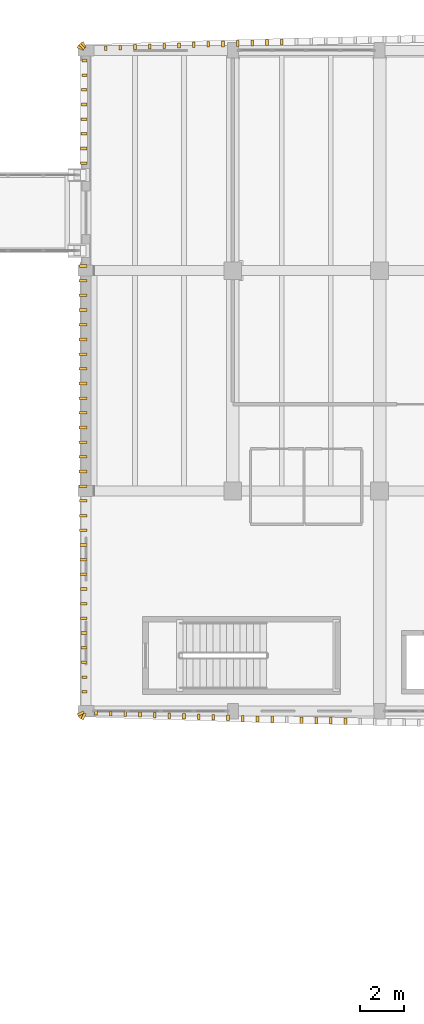
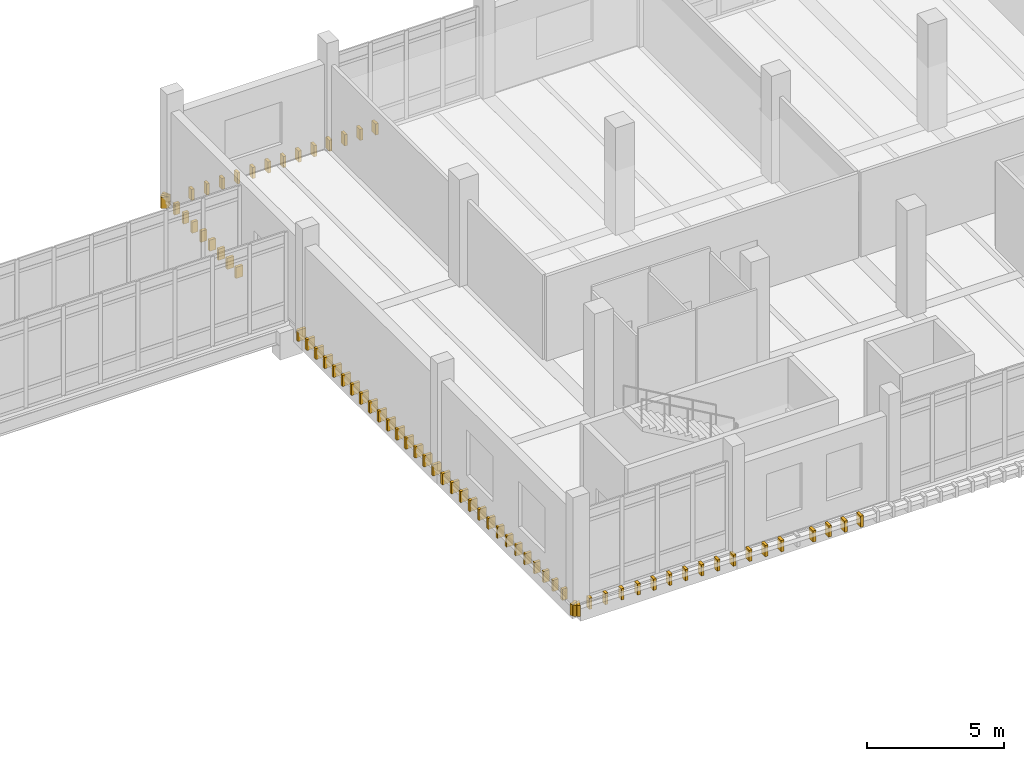
# One storey, part 122 of 125: 74 coverings.
"""IFC4 building model written with IfcOpenShell, lengths in metres."""

import ifcopenshell
import ifcopenshell.guid

model = None  # the IFC model being written
_history = None  # IfcOwnerHistory: only IFC2X3 demands one
_inside = {}  # id of a spatial element -> (the spatial element, [elements in it])
_under = {}  # id of a project, library or spatial element -> (it, [spatial elements below it])
_declared = {}  # id of a project -> (the project, [libraries it declares])
_typed = {}  # id of a type object -> (the type object, [elements of that type])
_made_of = {}  # id of a material, layer set ... -> (it, [elements and type objects made of it])


def new_model(schema):
    """Start an empty IFC model of exactly this schema.

    Asked for "IFC4X3", IfcOpenShell would pick the latest addendum, in which some entities
    have other attributes; the version numbers below select the first issue.
    IFC2X3 requires an IfcOwnerHistory on every rooted entity: one is made here for all.
    """
    global model, _history
    if schema == "IFC4X3":
        model = ifcopenshell.file(schema_version=(4, 3, 0, 0))
    else:
        model = ifcopenshell.file(schema=schema)
    _inside.clear()
    _under.clear()
    _declared.clear()
    _typed.clear()
    _made_of.clear()
    _history = None
    if model.schema == "IFC2X3":
        org = make("IfcOrganization", Name="unknown")
        user = make(
            "IfcPersonAndOrganization",
            ThePerson=make("IfcPerson", FamilyName="unknown"),
            TheOrganization=org,
        )
        app = make(
            "IfcApplication",
            ApplicationDeveloper=org,
            Version="unknown",
            ApplicationFullName="unknown",
            ApplicationIdentifier="unknown",
        )
        _history = make(
            "IfcOwnerHistory",
            OwningUser=user,
            OwningApplication=app,
            ChangeAction="ADDED",
            CreationDate=0,
        )
    return model


def make(cls, **values):
    """One entity of the class cls with the attributes given. An attribute that is None is left unset."""
    return model.create_entity(
        cls, **{name: value for name, value in values.items() if value is not None}
    )


def rooted(cls, **values):
    """An entity with a GlobalId (a new one), such as an element, a storey or a relation."""
    return make(cls, GlobalId=ifcopenshell.guid.new(), OwnerHistory=_history, **values)


def si_unit(unit_type, name, prefix=None):
    """IfcSIUnit, for example si_unit("LENGTHUNIT", "METRE", prefix="MILLI")."""
    return make("IfcSIUnit", UnitType=unit_type, Prefix=prefix, Name=name)


def assignment(units):
    """IfcUnitAssignment: the units of a project."""
    return None if units is None else make("IfcUnitAssignment", Units=units)


def point(xyz):
    """IfcCartesianPoint."""
    return None if xyz is None else make("IfcCartesianPoint", Coordinates=xyz)


def direction(xyz):
    """IfcDirection."""
    return None if xyz is None else make("IfcDirection", DirectionRatios=xyz)


def frame(location, z_axis=None, x_axis=None):
    """IfcAxis2Placement3D, a coordinate frame: its origin and axes. An axis left out is left unset."""
    return make(
        "IfcAxis2Placement3D",
        Location=point(location),
        Axis=direction(z_axis),
        RefDirection=direction(x_axis),
    )


def frame_2d(location, x_axis=None):
    """IfcAxis2Placement2D, a coordinate frame in the plane: its origin and x axis."""
    return make(
        "IfcAxis2Placement2D", Location=point(location), RefDirection=direction(x_axis)
    )


def origin():
    """The frame at (0, 0, 0) with its axes left unset."""
    return frame((0.0, 0.0, 0.0))


def origin_2d():
    """The frame at (0, 0) in the plane with its x axis left unset."""
    return frame_2d((0.0, 0.0))


def place(relative_to, where):
    """IfcLocalPlacement: puts the frame where relative to a parent placement (None: the world)."""
    return make(
        "IfcLocalPlacement", PlacementRelTo=relative_to, RelativePlacement=where
    )


def context(
    kind, dimensions, precision=None, world=None, true_north=None, identifier=None
):
    """IfcGeometricRepresentationContext, for example the 3D "Model" context."""
    return make(
        "IfcGeometricRepresentationContext",
        ContextIdentifier=identifier,
        ContextType=kind,
        CoordinateSpaceDimension=dimensions,
        Precision=precision,
        WorldCoordinateSystem=world,
        TrueNorth=true_north,
    )


def subcontext(parent, identifier, kind, view, scale=None):
    """IfcGeometricRepresentationSubContext, for example "Body" below "Model"."""
    return make(
        "IfcGeometricRepresentationSubContext",
        ContextIdentifier=identifier,
        ContextType=kind,
        ParentContext=parent,
        TargetScale=scale,
        TargetView=view,
    )


def project(units=None, contexts=None):
    """IfcProject with its units and contexts."""
    return rooted(
        "IfcProject",
        Name="project",
        RepresentationContexts=contexts,
        UnitsInContext=assignment(units),
    )


def spatial(cls, under=None, at=None, **own):
    """A site, building, storey or space (cls), placed at a placement, below another one or the project."""
    s = rooted(cls, ObjectPlacement=at, **own)
    if under is not None:
        _under.setdefault(under.id(), (under, []))[1].append(s)
    return s


def profile(cls, at=None, kind="AREA", **sizes):
    """A parametric profile (cls). Its sizes go by their IFC names, for example OverallWidth=200.0."""
    return make(cls, ProfileType=kind, Position=at, **sizes)


def rectangle(**sizes):
    """IfcRectangleProfileDef."""
    return profile("IfcRectangleProfileDef", **sizes)


def extrude(swept, where, along, depth):
    """IfcExtrudedAreaSolid: the profile swept, set in the frame where, extruded along a direction by depth."""
    return make(
        "IfcExtrudedAreaSolid",
        SweptArea=swept,
        Position=where,
        ExtrudedDirection=direction(along),
        Depth=depth,
    )


def shape(context_of_items, identifier, shape_type, items):
    """IfcShapeRepresentation: the items that make up one representation, for example the "Body"."""
    return make(
        "IfcShapeRepresentation",
        ContextOfItems=context_of_items,
        RepresentationIdentifier=identifier,
        RepresentationType=shape_type,
        Items=items,
    )


def material(Name=None, Category=None):
    """IfcMaterial."""
    return make("IfcMaterial", Name=Name, Category=Category)


def layer(
    of_material, thickness, ventilated=None, Name=None, Category=None, Priority=None
):
    """IfcMaterialLayer: one layer of a wall or slab, of a material (None: an air gap)."""
    return make(
        "IfcMaterialLayer",
        Material=of_material,
        LayerThickness=thickness,
        IsVentilated=ventilated,
        Name=Name,
        Category=Category,
        Priority=Priority,
    )


def layer_set(layers, Name=None):
    """IfcMaterialLayerSet."""
    return make("IfcMaterialLayerSet", MaterialLayers=layers, LayerSetName=Name)


def made_of(thing, what):
    """Note that an element or type object is made of a material, layer set ...; save() writes the relation."""
    if what is not None:
        _made_of.setdefault(what.id(), (what, []))[1].append(thing)
    return thing


def type_object(cls, material=None, **own):
    """A type object (cls), such as IfcWallType, which elements share."""
    return made_of(rooted(cls, **own), material)


def element(
    cls,
    number,
    at=None,
    inside=None,
    cuts=None,
    type_object=None,
    material=None,
    context=None,
    identifier="Body",
    shape_type=None,
    held_by="IfcProductDefinitionShape",
    body=None,
    shapes=None,
    **own,
):
    """One element of the class cls, such as IfcWall. Its Tag is "e" and its number.

    at: its placement. inside: the storey or other place that contains it. cuts: it is an
    opening in that element (IfcRelVoidsElement). A single representation is given by context,
    identifier, shape_type and body (its items); several are given by shapes. held_by: the class
    of the entity that holds the representations. save() writes the other relations.
    """
    e = rooted(cls, Tag="e%d" % number, ObjectPlacement=at, **own)
    if body is not None:
        shapes = [shape(context, identifier, shape_type, body)]
    if shapes is not None:
        e.Representation = make(held_by, Representations=shapes)
    if inside is not None:
        _inside.setdefault(inside.id(), (inside, []))[1].append(e)
    if cuts is not None:
        rooted(
            "IfcRelVoidsElement", RelatingBuildingElement=cuts, RelatedOpeningElement=e
        )
    if type_object is not None:
        _typed.setdefault(type_object.id(), (type_object, []))[1].append(e)
    return made_of(e, material)


def aggregate(whole, parts):
    """IfcRelAggregates: a whole, such as a stair, and the parts it consists of."""
    return rooted("IfcRelAggregates", RelatingObject=whole, RelatedObjects=parts)


def save(model, path):
    """Write the relations noted so far, then the file.

    IfcRelAggregates (storeys below a building ...), IfcRelContainedInSpatialStructure (elements
    in a storey), IfcRelDefinesByType, IfcRelAssociatesMaterial and IfcRelDeclares: one each for
    every whole, place, type object, material and project.
    """
    for whole, parts in _under.values():
        aggregate(whole, parts)
    for where, things in _inside.values():
        rooted(
            "IfcRelContainedInSpatialStructure",
            RelatedElements=things,
            RelatingStructure=where,
        )
    for kind, things in _typed.values():
        rooted("IfcRelDefinesByType", RelatedObjects=things, RelatingType=kind)
    for what, things in _made_of.values():
        rooted("IfcRelAssociatesMaterial", RelatedObjects=things, RelatingMaterial=what)
    for by, libraries in _declared.values():
        rooted("IfcRelDeclares", RelatingContext=by, RelatedDefinitions=libraries)
    model.write(path)


model = new_model("IFC4")

# Units and contexts
model_context = context("Model", 3, precision=1e-05, world=origin(), true_north=direction((0.0, 1.0)))
body_context = subcontext(model_context, "Body", "Model", "MODEL_VIEW")
ifc_project = project(units=[si_unit("LENGTHUNIT", "METRE"), si_unit("AREAUNIT", "SQUARE_METRE"), si_unit("VOLUMEUNIT", "CUBIC_METRE"), si_unit("PLANEANGLEUNIT", "RADIAN"), si_unit("MASSUNIT", "GRAM", prefix="KILO")], contexts=[model_context])

# Site, building, storey
site_placement = place(None, origin())
site = spatial("IfcSite", under=ifc_project, at=site_placement, CompositionType="ELEMENT")
building_placement = place(site_placement, origin())
building = spatial("IfcBuilding", under=site, at=building_placement, Name="Dornvale Research Institute", CompositionType="ELEMENT")
storey_placement = place(building_placement, frame((0.0, 0.0, 5.39990234375)))
storey = spatial("IfcBuildingStorey", under=building, at=storey_placement, Name="L01", CompositionType="ELEMENT", Elevation=5.39990234375)

# Coverings
ifc_material = material(Name="Polychrome Glazed Terracotta Visor Rib Ceramic", Category="masonry")
ifc_layer = layer(ifc_material, 0.1201171875)
ifc_layer_set = layer_set([ifc_layer], Name="Polychrome Glazed Terracotta Visor Rib Ceramic")
covering_type = type_object("IfcCoveringType", Name="Covering_VisorBlade_Low", PredefinedType="CLADDING", material=ifc_layer_set)
covering_1_placement = place(storey_placement, frame((119.249755859375, 92.3212890625, -0.489990234375), z_axis=(0.0, 0.0, 1.0), x_axis=(0.0, 1.0, 0.0)))
element("IfcCovering", 1, at=covering_1_placement, inside=storey, type_object=covering_type, Name="L01 V4 canted glazed terracotta visor blade #1725", PredefinedType="CLADDING", context=body_context, shape_type="SweptSolid", body=[
    extrude(rectangle(XDim=0.205078125, YDim=0.1201171875, at=origin_2d()), origin(), (0.0, 0.0, 1.0), 0.5),
])
covering_2_placement = place(storey_placement, frame((119.9091796875, 92.294189453125, -0.489990234375), z_axis=(0.0, 0.0, 1.0), x_axis=(0.0, 1.0, 0.0)))
element("IfcCovering", 2, at=covering_2_placement, inside=storey, type_object=covering_type, Name="L01 V4 canted glazed terracotta visor blade #1726", PredefinedType="CLADDING", context=body_context, shape_type="SweptSolid", body=[
    extrude(rectangle(XDim=0.2119140625, YDim=0.1201171875, at=origin_2d()), origin(), (0.0, 0.0, 1.0), 0.5),
])
covering_3_placement = place(storey_placement, frame((120.56884765625, 92.267578125, -0.489990234375), z_axis=(0.0, 0.0, 1.0), x_axis=(0.0, 1.0, 0.0)))
element("IfcCovering", 3, at=covering_3_placement, inside=storey, type_object=covering_type, Name="L01 V4 canted glazed terracotta visor blade #1727", PredefinedType="CLADDING", context=body_context, shape_type="SweptSolid", body=[
    extrude(rectangle(XDim=0.218017578125, YDim=0.1201171875, at=origin_2d()), origin(), (0.0, 0.0, 1.0), 0.5),
])
covering_4_placement = place(storey_placement, frame((121.228515625, 92.24169921875, -0.489990234375), z_axis=(0.0, 0.0, 1.0), x_axis=(0.0, 1.0, 0.0)))
element("IfcCovering", 4, at=covering_4_placement, inside=storey, type_object=covering_type, Name="L01 V4 canted glazed terracotta visor blade #1728", PredefinedType="CLADDING", context=body_context, shape_type="SweptSolid", body=[
    extrude(rectangle(XDim=0.22509765625, YDim=0.1201171875, at=origin_2d()), origin(), (0.0, 0.0, 1.0), 0.5),
])
covering_5_placement = place(storey_placement, frame((121.88818359375, 92.2158203125, -0.489990234375), z_axis=(0.0, 0.0, 1.0), x_axis=(0.0, 1.0, 0.0)))
element("IfcCovering", 5, at=covering_5_placement, inside=storey, type_object=covering_type, Name="L01 V4 canted glazed terracotta visor blade #1729", PredefinedType="CLADDING", context=body_context, shape_type="SweptSolid", body=[
    extrude(rectangle(XDim=0.23193359375, YDim=0.1201171875, at=origin_2d()), origin(), (0.0, 0.0, 1.0), 0.5),
])
covering_6_placement = place(storey_placement, frame((122.5478515625, 92.19140625, -0.489990234375), z_axis=(0.0, 0.0, 1.0), x_axis=(0.0, 1.0, 0.0)))
element("IfcCovering", 6, at=covering_6_placement, inside=storey, type_object=covering_type, Name="L01 V4 canted glazed terracotta visor blade #1730", PredefinedType="CLADDING", context=body_context, shape_type="SweptSolid", body=[
    extrude(rectangle(XDim=0.238037109375, YDim=0.1201171875, at=origin_2d()), origin(), (0.0, 0.0, 1.0), 0.5),
])
covering_7_placement = place(storey_placement, frame((123.20751953125, 92.167236328125, -0.489990234375), z_axis=(0.0, 0.0, 1.0), x_axis=(0.0, 1.0, 0.0)))
element("IfcCovering", 7, at=covering_7_placement, inside=storey, type_object=covering_type, Name="L01 V4 canted glazed terracotta visor blade #1731", PredefinedType="CLADDING", context=body_context, shape_type="SweptSolid", body=[
    extrude(rectangle(XDim=0.243896484375, YDim=0.1201171875, at=origin_2d()), origin(), (0.0, 0.0, 1.0), 0.5),
])
covering_8_placement = place(storey_placement, frame((123.8671875, 92.143310546875, -0.489990234375), z_axis=(0.0, 0.0, 1.0), x_axis=(0.0, 1.0, 0.0)))
element("IfcCovering", 8, at=covering_8_placement, inside=storey, type_object=covering_type, Name="L01 V4 canted glazed terracotta visor blade #1732", PredefinedType="CLADDING", context=body_context, shape_type="SweptSolid", body=[
    extrude(rectangle(XDim=0.25, YDim=0.1201171875, at=origin_2d()), origin(), (0.0, 0.0, 1.0), 0.5),
])
covering_9_placement = place(storey_placement, frame((124.52685546875, 92.12060546875, -0.489990234375), z_axis=(0.0, 0.0, 1.0), x_axis=(0.0, 1.0, 0.0)))
element("IfcCovering", 9, at=covering_9_placement, inside=storey, type_object=covering_type, Name="L01 V4 canted glazed terracotta visor blade #1733", PredefinedType="CLADDING", context=body_context, shape_type="SweptSolid", body=[
    extrude(rectangle(XDim=0.256103515625, YDim=0.1201171875, at=origin_2d()), origin(), (0.0, 0.0, 1.0), 0.5),
])
covering_10_placement = place(storey_placement, frame((125.1865234375, 92.0986328125, -0.489990234375), z_axis=(0.0, 0.0, 1.0), x_axis=(0.0, 1.0, 0.0)))
element("IfcCovering", 10, at=covering_10_placement, inside=storey, type_object=covering_type, Name="L01 V4 canted glazed terracotta visor blade #1734", PredefinedType="CLADDING", context=body_context, shape_type="SweptSolid", body=[
    extrude(rectangle(XDim=0.260986328125, YDim=0.1201171875, at=origin_2d()), origin(), (0.0, 0.0, 1.0), 0.5),
])
covering_11_placement = place(storey_placement, frame((125.84619140625, 92.076904296875, -0.489990234375), z_axis=(0.0, 0.0, 1.0), x_axis=(0.0, 1.0, 0.0)))
element("IfcCovering", 11, at=covering_11_placement, inside=storey, type_object=covering_type, Name="L01 V4 canted glazed terracotta visor blade #1735", PredefinedType="CLADDING", context=body_context, shape_type="SweptSolid", body=[
    extrude(rectangle(XDim=0.26708984375, YDim=0.1201171875, at=origin_2d()), origin(), (0.0, 0.0, 1.0), 0.5),
])
covering_12_placement = place(storey_placement, frame((126.506103515625, 92.055908203125, -0.489990234375), z_axis=(0.0, 0.0, 1.0), x_axis=(0.0, 1.0, 0.0)))
element("IfcCovering", 12, at=covering_12_placement, inside=storey, type_object=covering_type, Name="L01 V4 canted glazed terracotta visor blade #1736", PredefinedType="CLADDING", context=body_context, shape_type="SweptSolid", body=[
    extrude(rectangle(XDim=0.27197265625, YDim=0.1201171875, at=origin_2d()), origin(), (0.0, 0.0, 1.0), 0.5),
])
covering_13_placement = place(storey_placement, frame((127.165771484375, 92.035400390625, -0.489990234375), z_axis=(0.0, 0.0, 1.0), x_axis=(0.0, 1.0, 0.0)))
element("IfcCovering", 13, at=covering_13_placement, inside=storey, type_object=covering_type, Name="L01 V4 canted glazed terracotta visor blade #1737", PredefinedType="CLADDING", context=body_context, shape_type="SweptSolid", body=[
    extrude(rectangle(XDim=0.277099609375, YDim=0.1201171875, at=origin_2d()), origin(), (0.0, 0.0, 1.0), 0.5),
])
covering_14_placement = place(storey_placement, frame((128.4853515625, 91.996337890625, -0.489990234375), z_axis=(0.0, 0.0, 1.0), x_axis=(0.0, 1.0, 0.0)))
element("IfcCovering", 14, at=covering_14_placement, inside=storey, type_object=covering_type, Name="L01 V4 canted glazed terracotta visor blade #1739", PredefinedType="CLADDING", context=body_context, shape_type="SweptSolid", body=[
    extrude(rectangle(XDim=0.287109375, YDim=0.1201171875, at=origin_2d()), origin(), (0.0, 0.0, 1.0), 0.5),
])
covering_15_placement = place(storey_placement, frame((129.14501953125, 91.977783203125, -0.489990234375), z_axis=(0.0, 0.0, 1.0), x_axis=(0.0, 1.0, 0.0)))
element("IfcCovering", 15, at=covering_15_placement, inside=storey, type_object=covering_type, Name="L01 V4 canted glazed terracotta visor blade #1740", PredefinedType="CLADDING", context=body_context, shape_type="SweptSolid", body=[
    extrude(rectangle(XDim=0.2919921875, YDim=0.1201171875, at=origin_2d()), origin(), (0.0, 0.0, 1.0), 0.5),
])
covering_16_placement = place(storey_placement, frame((129.804931640625, 91.959716796875, -0.489990234375), z_axis=(0.0, 0.0, 1.0), x_axis=(0.0, 1.0, 0.0)))
element("IfcCovering", 16, at=covering_16_placement, inside=storey, type_object=covering_type, Name="L01 V4 canted glazed terracotta visor blade #1741", PredefinedType="CLADDING", context=body_context, shape_type="SweptSolid", body=[
    extrude(rectangle(XDim=0.297119140625, YDim=0.1201171875, at=origin_2d()), origin(), (0.0, 0.0, 1.0), 0.5),
])
covering_17_placement = place(storey_placement, frame((130.464599609375, 91.9423828125, -0.489990234375), z_axis=(0.0, 0.0, 1.0), x_axis=(0.0, 1.0, 0.0)))
element("IfcCovering", 17, at=covering_17_placement, inside=storey, type_object=covering_type, Name="L01 V4 canted glazed terracotta visor blade #1742", PredefinedType="CLADDING", context=body_context, shape_type="SweptSolid", body=[
    extrude(rectangle(XDim=0.301025390625, YDim=0.1201171875, at=origin_2d()), origin(), (0.0, 0.0, 1.0), 0.5),
])
covering_18_placement = place(storey_placement, frame((127.59912109375, 122.477783203125, -0.489990234375), z_axis=(0.0, 0.0, 1.0), x_axis=(0.0, 1.0, 0.0)))
element("IfcCovering", 18, at=covering_18_placement, inside=storey, type_object=covering_type, Name="L01 V4 canted glazed terracotta visor blade #1883", PredefinedType="CLADDING", context=body_context, shape_type="SweptSolid", body=[
    extrude(rectangle(XDim=0.281005859375, YDim=0.1201171875, at=origin_2d()), origin(), (0.0, 0.0, 1.0), 0.5),
])
covering_19_placement = place(storey_placement, frame((126.939453125, 122.4580078125, -0.489990234375), z_axis=(0.0, 0.0, 1.0), x_axis=(0.0, 1.0, 0.0)))
element("IfcCovering", 19, at=covering_19_placement, inside=storey, type_object=covering_type, Name="L01 V4 canted glazed terracotta visor blade #1884", PredefinedType="CLADDING", context=body_context, shape_type="SweptSolid", body=[
    extrude(rectangle(XDim=0.27587890625, YDim=0.1201171875, at=origin_2d()), origin(), (0.0, 0.0, 1.0), 0.5),
])
covering_20_placement = place(storey_placement, frame((126.279541015625, 122.436767578125, -0.489990234375), z_axis=(0.0, 0.0, 1.0), x_axis=(0.0, 1.0, 0.0)))
element("IfcCovering", 20, at=covering_20_placement, inside=storey, type_object=covering_type, Name="L01 V4 canted glazed terracotta visor blade #1885", PredefinedType="CLADDING", context=body_context, shape_type="SweptSolid", body=[
    extrude(rectangle(XDim=0.27001953125, YDim=0.1201171875, at=origin_2d()), origin(), (0.0, 0.0, 1.0), 0.5),
])
covering_21_placement = place(storey_placement, frame((125.619873046875, 122.416015625, -0.489990234375), z_axis=(0.0, 0.0, 1.0), x_axis=(0.0, 1.0, 0.0)))
element("IfcCovering", 21, at=covering_21_placement, inside=storey, type_object=covering_type, Name="L01 V4 canted glazed terracotta visor blade #1886", PredefinedType="CLADDING", context=body_context, shape_type="SweptSolid", body=[
    extrude(rectangle(XDim=0.264892578125, YDim=0.1201171875, at=origin_2d()), origin(), (0.0, 0.0, 1.0), 0.5),
])
covering_22_placement = place(storey_placement, frame((124.960205078125, 122.394287109375, -0.489990234375), z_axis=(0.0, 0.0, 1.0), x_axis=(0.0, 1.0, 0.0)))
element("IfcCovering", 22, at=covering_22_placement, inside=storey, type_object=covering_type, Name="L01 V4 canted glazed terracotta visor blade #1887", PredefinedType="CLADDING", context=body_context, shape_type="SweptSolid", body=[
    extrude(rectangle(XDim=0.260009765625, YDim=0.1201171875, at=origin_2d()), origin(), (0.0, 0.0, 1.0), 0.5),
])
covering_23_placement = place(storey_placement, frame((124.300537109375, 122.37158203125, -0.489990234375), z_axis=(0.0, 0.0, 1.0), x_axis=(0.0, 1.0, 0.0)))
element("IfcCovering", 23, at=covering_23_placement, inside=storey, type_object=covering_type, Name="L01 V4 canted glazed terracotta visor blade #1888", PredefinedType="CLADDING", context=body_context, shape_type="SweptSolid", body=[
    extrude(rectangle(XDim=0.25390625, YDim=0.1201171875, at=origin_2d()), origin(), (0.0, 0.0, 1.0), 0.5),
])
covering_24_placement = place(storey_placement, frame((123.640869140625, 122.3486328125, -0.489990234375), z_axis=(0.0, 0.0, 1.0), x_axis=(0.0, 1.0, 0.0)))
element("IfcCovering", 24, at=covering_24_placement, inside=storey, type_object=covering_type, Name="L01 V4 canted glazed terracotta visor blade #1889", PredefinedType="CLADDING", context=body_context, shape_type="SweptSolid", body=[
    extrude(rectangle(XDim=0.248046875, YDim=0.1201171875, at=origin_2d()), origin(), (0.0, 0.0, 1.0), 0.5),
])
covering_25_placement = place(storey_placement, frame((122.981201171875, 122.324462890625, -0.489990234375), z_axis=(0.0, 0.0, 1.0), x_axis=(0.0, 1.0, 0.0)))
element("IfcCovering", 25, at=covering_25_placement, inside=storey, type_object=covering_type, Name="L01 V4 canted glazed terracotta visor blade #1890", PredefinedType="CLADDING", context=body_context, shape_type="SweptSolid", body=[
    extrude(rectangle(XDim=0.241943359375, YDim=0.1201171875, at=origin_2d()), origin(), (0.0, 0.0, 1.0), 0.5),
])
covering_26_placement = place(storey_placement, frame((122.3212890625, 122.300537109375, -0.489990234375), z_axis=(0.0, 0.0, 1.0), x_axis=(0.0, 1.0, 0.0)))
element("IfcCovering", 26, at=covering_26_placement, inside=storey, type_object=covering_type, Name="L01 V4 canted glazed terracotta visor blade #1891", PredefinedType="CLADDING", context=body_context, shape_type="SweptSolid", body=[
    extrude(rectangle(XDim=0.236083984375, YDim=0.1201171875, at=origin_2d()), origin(), (0.0, 0.0, 1.0), 0.5),
])
covering_27_placement = place(storey_placement, frame((121.661865234375, 122.27490234375, -0.489990234375), z_axis=(0.0, 0.0, 1.0), x_axis=(0.0, 1.0, 0.0)))
element("IfcCovering", 27, at=covering_27_placement, inside=storey, type_object=covering_type, Name="L01 V4 canted glazed terracotta visor blade #1892", PredefinedType="CLADDING", context=body_context, shape_type="SweptSolid", body=[
    extrude(rectangle(XDim=0.22900390625, YDim=0.1201171875, at=origin_2d()), origin(), (0.0, 0.0, 1.0), 0.5),
])
covering_28_placement = place(storey_placement, frame((121.002197265625, 122.24951171875, -0.489990234375), z_axis=(0.0, 0.0, 1.0), x_axis=(0.0, 1.0, 0.0)))
element("IfcCovering", 28, at=covering_28_placement, inside=storey, type_object=covering_type, Name="L01 V4 canted glazed terracotta visor blade #1893", PredefinedType="CLADDING", context=body_context, shape_type="SweptSolid", body=[
    extrude(rectangle(XDim=0.222900390625, YDim=0.1201171875, at=origin_2d()), origin(), (0.0, 0.0, 1.0), 0.5),
])
covering_29_placement = place(storey_placement, frame((120.342529296875, 122.223388671875, -0.489990234375), z_axis=(0.0, 0.0, 1.0), x_axis=(0.0, 1.0, 0.0)))
element("IfcCovering", 29, at=covering_29_placement, inside=storey, type_object=covering_type, Name="L01 V4 canted glazed terracotta visor blade #1894", PredefinedType="CLADDING", context=body_context, shape_type="SweptSolid", body=[
    extrude(rectangle(XDim=0.216064453125, YDim=0.1201171875, at=origin_2d()), origin(), (0.0, 0.0, 1.0), 0.5),
])
covering_30_placement = place(storey_placement, frame((119.68310546875, 122.1962890625, -0.489990234375), z_axis=(0.0, 0.0, 1.0), x_axis=(0.0, 1.0, 0.0)))
element("IfcCovering", 30, at=covering_30_placement, inside=storey, type_object=covering_type, Name="L01 V4 canted glazed terracotta visor blade #1895", PredefinedType="CLADDING", context=body_context, shape_type="SweptSolid", body=[
    extrude(rectangle(XDim=0.208984375, YDim=0.1201171875, at=origin_2d()), origin(), (0.0, 0.0, 1.0), 0.5),
])
covering_31_placement = place(storey_placement, frame((118.735107421875, 121.64990234375, -0.489990234375), z_axis=(0.0, 0.0, 1.0), x_axis=(1.0, 0.0, 0.0)))
element("IfcCovering", 31, at=covering_31_placement, inside=storey, type_object=covering_type, Name="L01 V4 canted glazed terracotta visor blade #1940", PredefinedType="CLADDING", context=body_context, shape_type="SweptSolid", body=[
    extrude(rectangle(XDim=0.2099609375, YDim=0.1201171875, at=origin_2d()), origin(), (0.0, 0.0, 1.0), 0.5),
])
covering_32_placement = place(storey_placement, frame((118.728515625, 120.989990234375, -0.489990234375), z_axis=(0.0, 0.0, 1.0), x_axis=(1.0, 0.0, 0.0)))
element("IfcCovering", 32, at=covering_32_placement, inside=storey, type_object=covering_type, Name="L01 V4 canted glazed terracotta visor blade #1941", PredefinedType="CLADDING", context=body_context, shape_type="SweptSolid", body=[
    extrude(rectangle(XDim=0.222900390625, YDim=0.1201171875, at=origin_2d()), origin(), (0.0, 0.0, 1.0), 0.5),
])
covering_33_placement = place(storey_placement, frame((118.721923828125, 120.330078125, -0.489990234375), z_axis=(0.0, 0.0, 1.0), x_axis=(1.0, 0.0, 0.0)))
element("IfcCovering", 33, at=covering_33_placement, inside=storey, type_object=covering_type, Name="L01 V4 canted glazed terracotta visor blade #1942", PredefinedType="CLADDING", context=body_context, shape_type="SweptSolid", body=[
    extrude(rectangle(XDim=0.236083984375, YDim=0.1201171875, at=origin_2d()), origin(), (0.0, 0.0, 1.0), 0.5),
])
covering_34_placement = place(storey_placement, frame((118.716064453125, 119.669921875, -0.489990234375), z_axis=(0.0, 0.0, 1.0), x_axis=(1.0, 0.0, 0.0)))
element("IfcCovering", 34, at=covering_34_placement, inside=storey, type_object=covering_type, Name="L01 V4 canted glazed terracotta visor blade #1943", PredefinedType="CLADDING", context=body_context, shape_type="SweptSolid", body=[
    extrude(rectangle(XDim=0.248046875, YDim=0.1201171875, at=origin_2d()), origin(), (0.0, 0.0, 1.0), 0.5),
])
covering_35_placement = place(storey_placement, frame((118.7099609375, 119.010009765625, -0.489990234375), z_axis=(0.0, 0.0, 1.0), x_axis=(1.0, 0.0, 0.0)))
element("IfcCovering", 35, at=covering_35_placement, inside=storey, type_object=covering_type, Name="L01 V4 canted glazed terracotta visor blade #1944", PredefinedType="CLADDING", context=body_context, shape_type="SweptSolid", body=[
    extrude(rectangle(XDim=0.260009765625, YDim=0.1201171875, at=origin_2d()), origin(), (0.0, 0.0, 1.0), 0.5),
])
covering_36_placement = place(storey_placement, frame((118.70458984375, 118.35009765625, -0.489990234375), z_axis=(0.0, 0.0, 1.0), x_axis=(1.0, 0.0, 0.0)))
element("IfcCovering", 36, at=covering_36_placement, inside=storey, type_object=covering_type, Name="L01 V4 canted glazed terracotta visor blade #1945", PredefinedType="CLADDING", context=body_context, shape_type="SweptSolid", body=[
    extrude(rectangle(XDim=0.27099609375, YDim=0.1201171875, at=origin_2d()), origin(), (0.0, 0.0, 1.0), 0.5),
])
covering_37_placement = place(storey_placement, frame((118.699462890625, 117.68994140625, -0.489990234375), z_axis=(0.0, 0.0, 1.0), x_axis=(1.0, 0.0, 0.0)))
element("IfcCovering", 37, at=covering_37_placement, inside=storey, type_object=covering_type, Name="L01 V4 canted glazed terracotta visor blade #1946", PredefinedType="CLADDING", context=body_context, shape_type="SweptSolid", body=[
    extrude(rectangle(XDim=0.281005859375, YDim=0.1201171875, at=origin_2d()), origin(), (0.0, 0.0, 1.0), 0.5),
])
covering_38_placement = place(storey_placement, frame((118.694580078125, 117.030029296875, -0.489990234375), z_axis=(0.0, 0.0, 1.0), x_axis=(1.0, 0.0, 0.0)))
element("IfcCovering", 38, at=covering_38_placement, inside=storey, type_object=covering_type, Name="L01 V4 canted glazed terracotta visor blade #1947", PredefinedType="CLADDING", context=body_context, shape_type="SweptSolid", body=[
    extrude(rectangle(XDim=0.291015625, YDim=0.1201171875, at=origin_2d()), origin(), (0.0, 0.0, 1.0), 0.5),
])
covering_39_placement = place(storey_placement, frame((118.66943359375, 112.409912109375, -0.489990234375), z_axis=(0.0, 0.0, 1.0), x_axis=(1.0, 0.0, 0.0)))
element("IfcCovering", 39, at=covering_39_placement, inside=storey, type_object=covering_type, Name="L01 V4 canted glazed terracotta visor blade #1948", PredefinedType="CLADDING", context=body_context, shape_type="SweptSolid", body=[
    extrude(rectangle(XDim=0.341064453125, YDim=0.1201171875, at=origin_2d()), origin(), (0.0, 0.0, 1.0), 0.5),
])
covering_40_placement = place(storey_placement, frame((118.66748046875, 111.75, -0.489990234375), z_axis=(0.0, 0.0, 1.0), x_axis=(1.0, 0.0, 0.0)))
element("IfcCovering", 40, at=covering_40_placement, inside=storey, type_object=covering_type, Name="L01 V4 canted glazed terracotta visor blade #1949", PredefinedType="CLADDING", context=body_context, shape_type="SweptSolid", body=[
    extrude(rectangle(XDim=0.344970703125, YDim=0.1201171875, at=origin_2d()), origin(), (0.0, 0.0, 1.0), 0.5),
])
covering_41_placement = place(storey_placement, frame((118.66552734375, 111.090087890625, -0.489990234375), z_axis=(0.0, 0.0, 1.0), x_axis=(1.0, 0.0, 0.0)))
element("IfcCovering", 41, at=covering_41_placement, inside=storey, type_object=covering_type, Name="L01 V4 canted glazed terracotta visor blade #1950", PredefinedType="CLADDING", context=body_context, shape_type="SweptSolid", body=[
    extrude(rectangle(XDim=0.34912109375, YDim=0.1201171875, at=origin_2d()), origin(), (0.0, 0.0, 1.0), 0.5),
])
covering_42_placement = place(storey_placement, frame((118.66357421875, 110.429931640625, -0.489990234375), z_axis=(0.0, 0.0, 1.0), x_axis=(1.0, 0.0, 0.0)))
element("IfcCovering", 42, at=covering_42_placement, inside=storey, type_object=covering_type, Name="L01 V4 canted glazed terracotta visor blade #1951", PredefinedType="CLADDING", context=body_context, shape_type="SweptSolid", body=[
    extrude(rectangle(XDim=0.35302734375, YDim=0.1201171875, at=origin_2d()), origin(), (0.0, 0.0, 1.0), 0.5),
])
covering_43_placement = place(storey_placement, frame((118.66259765625, 109.77001953125, -0.489990234375), z_axis=(0.0, 0.0, 1.0), x_axis=(1.0, 0.0, 0.0)))
element("IfcCovering", 43, at=covering_43_placement, inside=storey, type_object=covering_type, Name="L01 V4 canted glazed terracotta visor blade #1952", PredefinedType="CLADDING", context=body_context, shape_type="SweptSolid", body=[
    extrude(rectangle(XDim=0.35498046875, YDim=0.1201171875, at=origin_2d()), origin(), (0.0, 0.0, 1.0), 0.5),
])
covering_44_placement = place(storey_placement, frame((118.66162109375, 109.110107421875, -0.489990234375), z_axis=(0.0, 0.0, 1.0), x_axis=(1.0, 0.0, 0.0)))
element("IfcCovering", 44, at=covering_44_placement, inside=storey, type_object=covering_type, Name="L01 V4 canted glazed terracotta visor blade #1953", PredefinedType="CLADDING", context=body_context, shape_type="SweptSolid", body=[
    extrude(rectangle(XDim=0.35693359375, YDim=0.1201171875, at=origin_2d()), origin(), (0.0, 0.0, 1.0), 0.5),
])
covering_45_placement = place(storey_placement, frame((118.660400390625, 108.449951171875, -0.489990234375), z_axis=(0.0, 0.0, 1.0), x_axis=(1.0, 0.0, 0.0)))
element("IfcCovering", 45, at=covering_45_placement, inside=storey, type_object=covering_type, Name="L01 V4 canted glazed terracotta visor blade #1954", PredefinedType="CLADDING", context=body_context, shape_type="SweptSolid", body=[
    extrude(rectangle(XDim=0.35888671875, YDim=0.1201171875, at=origin_2d()), origin(), (0.0, 0.0, 1.0), 0.5),
])
for number, where, z_axis, x_axis, name in (
    (46, (118.659912109375, 107.7900390625, -0.489990234375), (0.0, 0.0, 1.0), (1.0, 0.0, 0.0), "L01 V4 canted glazed terracotta visor blade #1955"),
    (47, (118.659912109375, 107.1298828125, -0.489990234375), (0.0, 0.0, 1.0), (1.0, 0.0, 0.0), "L01 V4 canted glazed terracotta visor blade #1956"),
    (48, (118.659912109375, 106.469970703125, -0.489990234375), (0.0, 0.0, 1.0), (1.0, 0.0, 0.0), "L01 V4 canted glazed terracotta visor blade #1957"),
):
    element("IfcCovering", number, at=place(storey_placement, frame(where, z_axis=z_axis, x_axis=x_axis)), inside=storey, type_object=covering_type, Name=name, PredefinedType="CLADDING", context=body_context, shape_type="SweptSolid", body=[
        extrude(rectangle(XDim=0.360107421875, YDim=0.1201171875, at=origin_2d()), origin(), (0.0, 0.0, 1.0), 0.5),
    ])
covering_46_placement = place(storey_placement, frame((118.660888671875, 105.81005859375, -0.489990234375), z_axis=(0.0, 0.0, 1.0), x_axis=(1.0, 0.0, 0.0)))
element("IfcCovering", 49, at=covering_46_placement, inside=storey, type_object=covering_type, Name="L01 V4 canted glazed terracotta visor blade #1958", PredefinedType="CLADDING", context=body_context, shape_type="SweptSolid", body=[
    extrude(rectangle(XDim=0.35791015625, YDim=0.1201171875, at=origin_2d()), origin(), (0.0, 0.0, 1.0), 0.5),
])
covering_47_placement = place(storey_placement, frame((118.66162109375, 105.14990234375, -0.489990234375), z_axis=(0.0, 0.0, 1.0), x_axis=(1.0, 0.0, 0.0)))
element("IfcCovering", 50, at=covering_47_placement, inside=storey, type_object=covering_type, Name="L01 V4 canted glazed terracotta visor blade #1959", PredefinedType="CLADDING", context=body_context, shape_type="SweptSolid", body=[
    extrude(rectangle(XDim=0.35693359375, YDim=0.1201171875, at=origin_2d()), origin(), (0.0, 0.0, 1.0), 0.5),
])
covering_48_placement = place(storey_placement, frame((118.6630859375, 104.489990234375, -0.489990234375), z_axis=(0.0, 0.0, 1.0), x_axis=(1.0, 0.0, 0.0)))
element("IfcCovering", 51, at=covering_48_placement, inside=storey, type_object=covering_type, Name="L01 V4 canted glazed terracotta visor blade #1960", PredefinedType="CLADDING", context=body_context, shape_type="SweptSolid", body=[
    extrude(rectangle(XDim=0.35400390625, YDim=0.1201171875, at=origin_2d()), origin(), (0.0, 0.0, 1.0), 0.5),
])
covering_49_placement = place(storey_placement, frame((118.6640625, 103.830078125, -0.489990234375), z_axis=(0.0, 0.0, 1.0), x_axis=(1.0, 0.0, 0.0)))
element("IfcCovering", 52, at=covering_49_placement, inside=storey, type_object=covering_type, Name="L01 V4 canted glazed terracotta visor blade #1961", PredefinedType="CLADDING", context=body_context, shape_type="SweptSolid", body=[
    extrude(rectangle(XDim=0.35205078125, YDim=0.1201171875, at=origin_2d()), origin(), (0.0, 0.0, 1.0), 0.5),
])
covering_50_placement = place(storey_placement, frame((118.666015625, 103.169921875, -0.489990234375), z_axis=(0.0, 0.0, 1.0), x_axis=(1.0, 0.0, 0.0)))
element("IfcCovering", 53, at=covering_50_placement, inside=storey, type_object=covering_type, Name="L01 V4 canted glazed terracotta visor blade #1962", PredefinedType="CLADDING", context=body_context, shape_type="SweptSolid", body=[
    extrude(rectangle(XDim=0.347900390625, YDim=0.1201171875, at=origin_2d()), origin(), (0.0, 0.0, 1.0), 0.5),
])
covering_51_placement = place(storey_placement, frame((118.66796875, 102.510009765625, -0.489990234375), z_axis=(0.0, 0.0, 1.0), x_axis=(1.0, 0.0, 0.0)))
element("IfcCovering", 54, at=covering_51_placement, inside=storey, type_object=covering_type, Name="L01 V4 canted glazed terracotta visor blade #1963", PredefinedType="CLADDING", context=body_context, shape_type="SweptSolid", body=[
    extrude(rectangle(XDim=0.343994140625, YDim=0.1201171875, at=origin_2d()), origin(), (0.0, 0.0, 1.0), 0.5),
])
covering_52_placement = place(storey_placement, frame((118.67041015625, 101.85009765625, -0.489990234375), z_axis=(0.0, 0.0, 1.0), x_axis=(1.0, 0.0, 0.0)))
element("IfcCovering", 55, at=covering_52_placement, inside=storey, type_object=covering_type, Name="L01 V4 canted glazed terracotta visor blade #1964", PredefinedType="CLADDING", context=body_context, shape_type="SweptSolid", body=[
    extrude(rectangle(XDim=0.339111328125, YDim=0.1201171875, at=origin_2d()), origin(), (0.0, 0.0, 1.0), 0.5),
])
covering_53_placement = place(storey_placement, frame((118.673583984375, 101.18994140625, -0.489990234375), z_axis=(0.0, 0.0, 1.0), x_axis=(1.0, 0.0, 0.0)))
element("IfcCovering", 56, at=covering_53_placement, inside=storey, type_object=covering_type, Name="L01 V4 canted glazed terracotta visor blade #1965", PredefinedType="CLADDING", context=body_context, shape_type="SweptSolid", body=[
    extrude(rectangle(XDim=0.3330078125, YDim=0.1201171875, at=origin_2d()), origin(), (0.0, 0.0, 1.0), 0.5),
])
covering_54_placement = place(storey_placement, frame((118.676513671875, 100.530029296875, -0.489990234375), z_axis=(0.0, 0.0, 1.0), x_axis=(1.0, 0.0, 0.0)))
element("IfcCovering", 57, at=covering_54_placement, inside=storey, type_object=covering_type, Name="L01 V4 canted glazed terracotta visor blade #1966", PredefinedType="CLADDING", context=body_context, shape_type="SweptSolid", body=[
    extrude(rectangle(XDim=0.326904296875, YDim=0.1201171875, at=origin_2d()), origin(), (0.0, 0.0, 1.0), 0.5),
])
covering_55_placement = place(storey_placement, frame((118.679931640625, 99.8701171875, -0.489990234375), z_axis=(0.0, 0.0, 1.0), x_axis=(1.0, 0.0, 0.0)))
element("IfcCovering", 58, at=covering_55_placement, inside=storey, type_object=covering_type, Name="L01 V4 canted glazed terracotta visor blade #1967", PredefinedType="CLADDING", context=body_context, shape_type="SweptSolid", body=[
    extrude(rectangle(XDim=0.320068359375, YDim=0.1201171875, at=origin_2d()), origin(), (0.0, 0.0, 1.0), 0.5),
])
covering_56_placement = place(storey_placement, frame((118.68359375, 99.2099609375, -0.489990234375), z_axis=(0.0, 0.0, 1.0), x_axis=(1.0, 0.0, 0.0)))
element("IfcCovering", 59, at=covering_56_placement, inside=storey, type_object=covering_type, Name="L01 V4 canted glazed terracotta visor blade #1968", PredefinedType="CLADDING", context=body_context, shape_type="SweptSolid", body=[
    extrude(rectangle(XDim=0.31298828125, YDim=0.1201171875, at=origin_2d()), origin(), (0.0, 0.0, 1.0), 0.5),
])
covering_57_placement = place(storey_placement, frame((118.6875, 98.550048828125, -0.489990234375), z_axis=(0.0, 0.0, 1.0), x_axis=(1.0, 0.0, 0.0)))
element("IfcCovering", 60, at=covering_57_placement, inside=storey, type_object=covering_type, Name="L01 V4 canted glazed terracotta visor blade #1969", PredefinedType="CLADDING", context=body_context, shape_type="SweptSolid", body=[
    extrude(rectangle(XDim=0.304931640625, YDim=0.1201171875, at=origin_2d()), origin(), (0.0, 0.0, 1.0), 0.5),
])
covering_58_placement = place(storey_placement, frame((118.69189453125, 97.889892578125, -0.489990234375), z_axis=(0.0, 0.0, 1.0), x_axis=(1.0, 0.0, 0.0)))
element("IfcCovering", 61, at=covering_58_placement, inside=storey, type_object=covering_type, Name="L01 V4 canted glazed terracotta visor blade #1970", PredefinedType="CLADDING", context=body_context, shape_type="SweptSolid", body=[
    extrude(rectangle(XDim=0.2958984375, YDim=0.1201171875, at=origin_2d()), origin(), (0.0, 0.0, 1.0), 0.5),
])
covering_59_placement = place(storey_placement, frame((118.696533203125, 97.22998046875, -0.489990234375), z_axis=(0.0, 0.0, 1.0), x_axis=(1.0, 0.0, 0.0)))
element("IfcCovering", 62, at=covering_59_placement, inside=storey, type_object=covering_type, Name="L01 V4 canted glazed terracotta visor blade #1971", PredefinedType="CLADDING", context=body_context, shape_type="SweptSolid", body=[
    extrude(rectangle(XDim=0.287109375, YDim=0.1201171875, at=origin_2d()), origin(), (0.0, 0.0, 1.0), 0.5),
])
covering_60_placement = place(storey_placement, frame((118.701416015625, 96.570068359375, -0.489990234375), z_axis=(0.0, 0.0, 1.0), x_axis=(1.0, 0.0, 0.0)))
element("IfcCovering", 63, at=covering_60_placement, inside=storey, type_object=covering_type, Name="L01 V4 canted glazed terracotta visor blade #1972", PredefinedType="CLADDING", context=body_context, shape_type="SweptSolid", body=[
    extrude(rectangle(XDim=0.277099609375, YDim=0.1201171875, at=origin_2d()), origin(), (0.0, 0.0, 1.0), 0.5),
])
covering_61_placement = place(storey_placement, frame((118.70654296875, 95.909912109375, -0.489990234375), z_axis=(0.0, 0.0, 1.0), x_axis=(1.0, 0.0, 0.0)))
element("IfcCovering", 64, at=covering_61_placement, inside=storey, type_object=covering_type, Name="L01 V4 canted glazed terracotta visor blade #1973", PredefinedType="CLADDING", context=body_context, shape_type="SweptSolid", body=[
    extrude(rectangle(XDim=0.26708984375, YDim=0.1201171875, at=origin_2d()), origin(), (0.0, 0.0, 1.0), 0.5),
])
covering_62_placement = place(storey_placement, frame((118.7119140625, 95.25, -0.489990234375), z_axis=(0.0, 0.0, 1.0), x_axis=(1.0, 0.0, 0.0)))
element("IfcCovering", 65, at=covering_62_placement, inside=storey, type_object=covering_type, Name="L01 V4 canted glazed terracotta visor blade #1974", PredefinedType="CLADDING", context=body_context, shape_type="SweptSolid", body=[
    extrude(rectangle(XDim=0.256103515625, YDim=0.1201171875, at=origin_2d()), origin(), (0.0, 0.0, 1.0), 0.5),
])
covering_63_placement = place(storey_placement, frame((118.718017578125, 94.590087890625, -0.489990234375), z_axis=(0.0, 0.0, 1.0), x_axis=(1.0, 0.0, 0.0)))
element("IfcCovering", 66, at=covering_63_placement, inside=storey, type_object=covering_type, Name="L01 V4 canted glazed terracotta visor blade #1975", PredefinedType="CLADDING", context=body_context, shape_type="SweptSolid", body=[
    extrude(rectangle(XDim=0.243896484375, YDim=0.1201171875, at=origin_2d()), origin(), (0.0, 0.0, 1.0), 0.5),
])
covering_64_placement = place(storey_placement, frame((118.724609375, 93.929931640625, -0.489990234375), z_axis=(0.0, 0.0, 1.0), x_axis=(1.0, 0.0, 0.0)))
element("IfcCovering", 67, at=covering_64_placement, inside=storey, type_object=covering_type, Name="L01 V4 canted glazed terracotta visor blade #1976", PredefinedType="CLADDING", context=body_context, shape_type="SweptSolid", body=[
    extrude(rectangle(XDim=0.23095703125, YDim=0.1201171875, at=origin_2d()), origin(), (0.0, 0.0, 1.0), 0.5),
])
covering_65_placement = place(storey_placement, frame((118.73095703125, 93.27001953125, -0.489990234375), z_axis=(0.0, 0.0, 1.0), x_axis=(1.0, 0.0, 0.0)))
element("IfcCovering", 68, at=covering_65_placement, inside=storey, type_object=covering_type, Name="L01 V4 canted glazed terracotta visor blade #1977", PredefinedType="CLADDING", context=body_context, shape_type="SweptSolid", body=[
    extrude(rectangle(XDim=0.218017578125, YDim=0.1201171875, at=origin_2d()), origin(), (0.0, 0.0, 1.0), 0.5),
])
for number, where, z_axis, x_axis, name in (
    (69, (118.564453125, 92.2900390625, -0.489990234375), (0.0, 0.0, 1.0), (-0.906307787037, -0.422618261741, 0.0), "L01 V4 corner-wrapping visor blade #1978"),
    (70, (118.6162109375, 92.21630859375, -0.489990234375), (0.0, 0.0, 1.0), (-0.707106781187, -0.707106781187, 0.0), "L01 V4 corner-wrapping visor blade #1979"),
    (71, (118.690185546875, 92.164306640625, -0.489990234375), (0.0, 0.0, 1.0), (-0.422618261741, -0.906307787037, 0.0), "L01 V4 corner-wrapping visor blade #1980"),
    (72, (118.690185546875, 122.335693359375, -0.489990234375), (0.0, 0.0, 1.0), (-0.422618261741, 0.906307787037, 0.0), "L01 V4 corner-wrapping visor blade #1987"),
    (73, (118.6162109375, 122.28369140625, -0.489990234375), (0.0, 0.0, 1.0), (-0.707106781187, 0.707106781187, 0.0), "L01 V4 corner-wrapping visor blade #1988"),
    (74, (118.564453125, 122.2099609375, -0.489990234375), (0.0, 0.0, 1.0), (-0.906307787037, 0.422618261741, 0.0), "L01 V4 corner-wrapping visor blade #1989"),
):
    element("IfcCovering", number, at=place(storey_placement, frame(where, z_axis=z_axis, x_axis=x_axis)), inside=storey, type_object=covering_type, Name=name, PredefinedType="CLADDING", context=body_context, shape_type="SweptSolid", body=[
        extrude(rectangle(XDim=0.300048828125, YDim=0.1201171875, at=origin_2d()), origin(), (0.0, 0.0, 1.0), 0.5),
    ])

save(model, "model.ifc")
